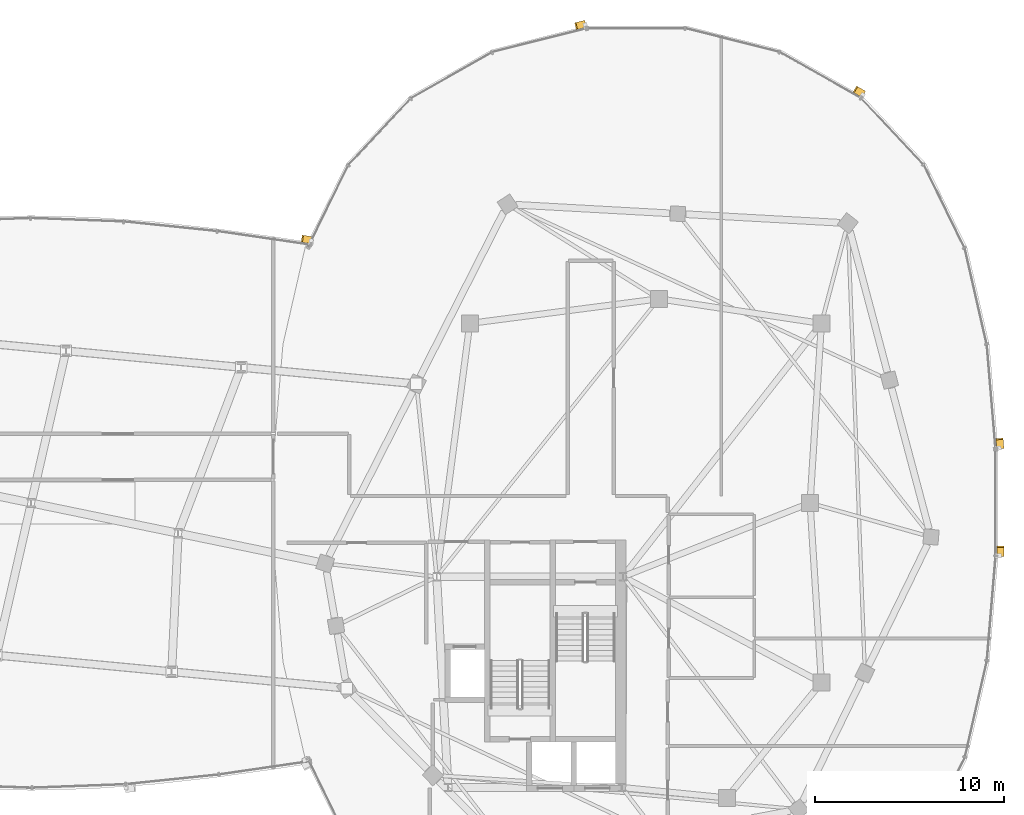
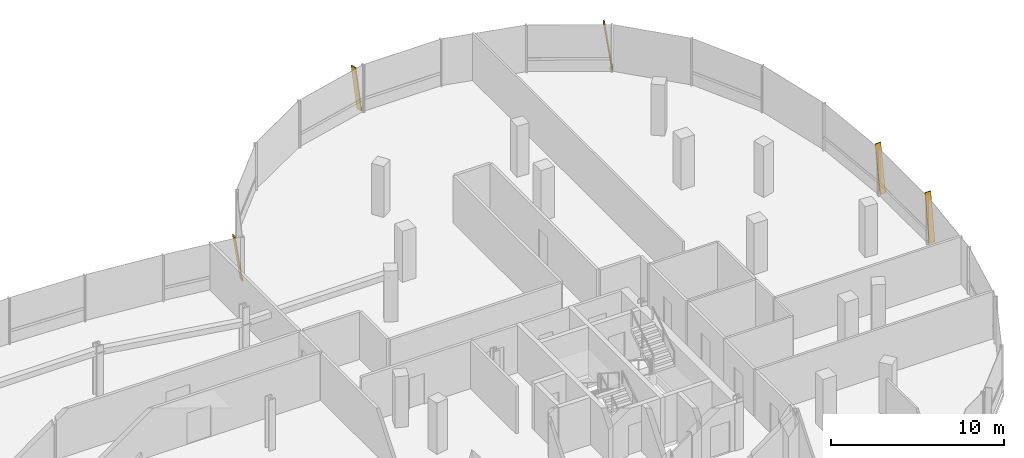
# One storey, part 25 of 25: 5 shading devices.
"""IFC4 building model written with IfcOpenShell, lengths in metres."""

import ifcopenshell
import ifcopenshell.guid

model = None  # the IFC model being written
_history = None  # IfcOwnerHistory: only IFC2X3 demands one
_inside = {}  # id of a spatial element -> (the spatial element, [elements in it])
_under = {}  # id of a project, library or spatial element -> (it, [spatial elements below it])
_declared = {}  # id of a project -> (the project, [libraries it declares])
_typed = {}  # id of a type object -> (the type object, [elements of that type])
_made_of = {}  # id of a material, layer set ... -> (it, [elements and type objects made of it])


def new_model(schema):
    """Start an empty IFC model of exactly this schema.

    Asked for "IFC4X3", IfcOpenShell would pick the latest addendum, in which some entities
    have other attributes; the version numbers below select the first issue.
    IFC2X3 requires an IfcOwnerHistory on every rooted entity: one is made here for all.
    """
    global model, _history
    if schema == "IFC4X3":
        model = ifcopenshell.file(schema_version=(4, 3, 0, 0))
    else:
        model = ifcopenshell.file(schema=schema)
    _inside.clear()
    _under.clear()
    _declared.clear()
    _typed.clear()
    _made_of.clear()
    _history = None
    if model.schema == "IFC2X3":
        org = make("IfcOrganization", Name="unknown")
        user = make(
            "IfcPersonAndOrganization",
            ThePerson=make("IfcPerson", FamilyName="unknown"),
            TheOrganization=org,
        )
        app = make(
            "IfcApplication",
            ApplicationDeveloper=org,
            Version="unknown",
            ApplicationFullName="unknown",
            ApplicationIdentifier="unknown",
        )
        _history = make(
            "IfcOwnerHistory",
            OwningUser=user,
            OwningApplication=app,
            ChangeAction="ADDED",
            CreationDate=0,
        )
    return model


def make(cls, **values):
    """One entity of the class cls with the attributes given. An attribute that is None is left unset."""
    return model.create_entity(
        cls, **{name: value for name, value in values.items() if value is not None}
    )


def rooted(cls, **values):
    """An entity with a GlobalId (a new one), such as an element, a storey or a relation."""
    return make(cls, GlobalId=ifcopenshell.guid.new(), OwnerHistory=_history, **values)


def si_unit(unit_type, name, prefix=None):
    """IfcSIUnit, for example si_unit("LENGTHUNIT", "METRE", prefix="MILLI")."""
    return make("IfcSIUnit", UnitType=unit_type, Prefix=prefix, Name=name)


def assignment(units):
    """IfcUnitAssignment: the units of a project."""
    return None if units is None else make("IfcUnitAssignment", Units=units)


def point(xyz):
    """IfcCartesianPoint."""
    return None if xyz is None else make("IfcCartesianPoint", Coordinates=xyz)


def direction(xyz):
    """IfcDirection."""
    return None if xyz is None else make("IfcDirection", DirectionRatios=xyz)


def frame(location, z_axis=None, x_axis=None):
    """IfcAxis2Placement3D, a coordinate frame: its origin and axes. An axis left out is left unset."""
    return make(
        "IfcAxis2Placement3D",
        Location=point(location),
        Axis=direction(z_axis),
        RefDirection=direction(x_axis),
    )


def frame_2d(location, x_axis=None):
    """IfcAxis2Placement2D, a coordinate frame in the plane: its origin and x axis."""
    return make(
        "IfcAxis2Placement2D", Location=point(location), RefDirection=direction(x_axis)
    )


def origin():
    """The frame at (0, 0, 0) with its axes left unset."""
    return frame((0.0, 0.0, 0.0))


def origin_2d():
    """The frame at (0, 0) in the plane with its x axis left unset."""
    return frame_2d((0.0, 0.0))


def place(relative_to, where):
    """IfcLocalPlacement: puts the frame where relative to a parent placement (None: the world)."""
    return make(
        "IfcLocalPlacement", PlacementRelTo=relative_to, RelativePlacement=where
    )


def context(
    kind, dimensions, precision=None, world=None, true_north=None, identifier=None
):
    """IfcGeometricRepresentationContext, for example the 3D "Model" context."""
    return make(
        "IfcGeometricRepresentationContext",
        ContextIdentifier=identifier,
        ContextType=kind,
        CoordinateSpaceDimension=dimensions,
        Precision=precision,
        WorldCoordinateSystem=world,
        TrueNorth=true_north,
    )


def subcontext(parent, identifier, kind, view, scale=None):
    """IfcGeometricRepresentationSubContext, for example "Body" below "Model"."""
    return make(
        "IfcGeometricRepresentationSubContext",
        ContextIdentifier=identifier,
        ContextType=kind,
        ParentContext=parent,
        TargetScale=scale,
        TargetView=view,
    )


def project(units=None, contexts=None):
    """IfcProject with its units and contexts."""
    return rooted(
        "IfcProject",
        Name="project",
        RepresentationContexts=contexts,
        UnitsInContext=assignment(units),
    )


def spatial(cls, under=None, at=None, **own):
    """A site, building, storey or space (cls), placed at a placement, below another one or the project."""
    s = rooted(cls, ObjectPlacement=at, **own)
    if under is not None:
        _under.setdefault(under.id(), (under, []))[1].append(s)
    return s


def profile(cls, at=None, kind="AREA", **sizes):
    """A parametric profile (cls). Its sizes go by their IFC names, for example OverallWidth=200.0."""
    return make(cls, ProfileType=kind, Position=at, **sizes)


def rectangle(**sizes):
    """IfcRectangleProfileDef."""
    return profile("IfcRectangleProfileDef", **sizes)


def extrude(swept, where, along, depth):
    """IfcExtrudedAreaSolid: the profile swept, set in the frame where, extruded along a direction by depth."""
    return make(
        "IfcExtrudedAreaSolid",
        SweptArea=swept,
        Position=where,
        ExtrudedDirection=direction(along),
        Depth=depth,
    )


def shape(context_of_items, identifier, shape_type, items):
    """IfcShapeRepresentation: the items that make up one representation, for example the "Body"."""
    return make(
        "IfcShapeRepresentation",
        ContextOfItems=context_of_items,
        RepresentationIdentifier=identifier,
        RepresentationType=shape_type,
        Items=items,
    )


def material(Name=None, Category=None):
    """IfcMaterial."""
    return make("IfcMaterial", Name=Name, Category=Category)


def material_profile(
    of_material, cross_section, Name=None, Category=None, Priority=None
):
    """IfcMaterialProfile: a cross section and its material."""
    return make(
        "IfcMaterialProfile",
        Name=Name,
        Material=of_material,
        Profile=cross_section,
        Priority=Priority,
        Category=Category,
    )


def profile_set(profiles, Name=None, composite=None):
    """IfcMaterialProfileSet."""
    return make(
        "IfcMaterialProfileSet",
        Name=Name,
        MaterialProfiles=profiles,
        CompositeProfile=composite,
    )


def made_of(thing, what):
    """Note that an element or type object is made of a material, layer set ...; save() writes the relation."""
    if what is not None:
        _made_of.setdefault(what.id(), (what, []))[1].append(thing)
    return thing


def type_object(cls, material=None, **own):
    """A type object (cls), such as IfcWallType, which elements share."""
    return made_of(rooted(cls, **own), material)


def element(
    cls,
    number,
    at=None,
    inside=None,
    cuts=None,
    type_object=None,
    material=None,
    context=None,
    identifier="Body",
    shape_type=None,
    held_by="IfcProductDefinitionShape",
    body=None,
    shapes=None,
    **own,
):
    """One element of the class cls, such as IfcWall. Its Tag is "e" and its number.

    at: its placement. inside: the storey or other place that contains it. cuts: it is an
    opening in that element (IfcRelVoidsElement). A single representation is given by context,
    identifier, shape_type and body (its items); several are given by shapes. held_by: the class
    of the entity that holds the representations. save() writes the other relations.
    """
    e = rooted(cls, Tag="e%d" % number, ObjectPlacement=at, **own)
    if body is not None:
        shapes = [shape(context, identifier, shape_type, body)]
    if shapes is not None:
        e.Representation = make(held_by, Representations=shapes)
    if inside is not None:
        _inside.setdefault(inside.id(), (inside, []))[1].append(e)
    if cuts is not None:
        rooted(
            "IfcRelVoidsElement", RelatingBuildingElement=cuts, RelatedOpeningElement=e
        )
    if type_object is not None:
        _typed.setdefault(type_object.id(), (type_object, []))[1].append(e)
    return made_of(e, material)


def aggregate(whole, parts):
    """IfcRelAggregates: a whole, such as a stair, and the parts it consists of."""
    return rooted("IfcRelAggregates", RelatingObject=whole, RelatedObjects=parts)


def save(model, path):
    """Write the relations noted so far, then the file.

    IfcRelAggregates (storeys below a building ...), IfcRelContainedInSpatialStructure (elements
    in a storey), IfcRelDefinesByType, IfcRelAssociatesMaterial and IfcRelDeclares: one each for
    every whole, place, type object, material and project.
    """
    for whole, parts in _under.values():
        aggregate(whole, parts)
    for where, things in _inside.values():
        rooted(
            "IfcRelContainedInSpatialStructure",
            RelatedElements=things,
            RelatingStructure=where,
        )
    for kind, things in _typed.values():
        rooted("IfcRelDefinesByType", RelatedObjects=things, RelatingType=kind)
    for what, things in _made_of.values():
        rooted("IfcRelAssociatesMaterial", RelatedObjects=things, RelatingMaterial=what)
    for by, libraries in _declared.values():
        rooted("IfcRelDeclares", RelatingContext=by, RelatedDefinitions=libraries)
    model.write(path)


model = new_model("IFC4")

# Units and contexts
model_context = context("Model", 3, precision=1e-05, world=origin(), true_north=direction((0.0, 1.0)))
body_context = subcontext(model_context, "Body", "Model", "MODEL_VIEW")
ifc_project = project(units=[si_unit("LENGTHUNIT", "METRE"), si_unit("AREAUNIT", "SQUARE_METRE"), si_unit("VOLUMEUNIT", "CUBIC_METRE"), si_unit("PLANEANGLEUNIT", "RADIAN"), si_unit("MASSUNIT", "GRAM", prefix="KILO"), si_unit("THERMODYNAMICTEMPERATUREUNIT", "KELVIN"), si_unit("POWERUNIT", "WATT")], contexts=[model_context])

# Site, building, storey
site_placement = place(None, origin())
site = spatial("IfcSite", under=ifc_project, at=site_placement, CompositionType="ELEMENT")
building_placement = place(site_placement, origin())
building = spatial("IfcBuilding", under=site, at=building_placement, Name="Cundina Bronze Exchange", CompositionType="ELEMENT")
storey_placement = place(building_placement, frame((0.0, 0.0, 239.60009765625)))
storey = spatial("IfcBuildingStorey", under=building, at=storey_placement, Name="L63", CompositionType="ELEMENT", Elevation=239.60009765625)

# Shading devices
ifc_material = material(Name="Anodised Bronze Aluminium 6063-T6", Category="aluminium")
ifc_material_profile = material_profile(ifc_material, rectangle(XDim=0.070068359375, YDim=0.3798828125, at=origin_2d()), Name="FIN70X380", Category="aluminium")
ifc_profile_set = profile_set([ifc_material_profile], Name="Anodised Bronze Aluminium 6063-T6")
shading_device_type = type_object("IfcShadingDeviceType", Name="SHD-FIN-BRZ380", PredefinedType="USERDEFINED", material=ifc_profile_set)
for number, where, z_axis, x_axis, name in (
    (1, (51.26416015625, 2.90625, 0.02001953125), (-0.012007425696, 0.143430164259, 0.989587595774), (0.082555708425, -0.986138004904, 0.143931894628), "L63 Diagonal Bronze Solar Fin 1"),
    (2, (44.0126953125, 21.63720703125, 0.02001953125), (-0.125198584402, 0.071092295587, 0.989581325598), (0.86052566695, -0.48863767404, 0.143974997927), "L63 Diagonal Bronze Solar Fin 5"),
    (3, (29.290771484375, 25.343505859375, 0.02001953125), (-0.139622006633, -0.035143452115, 0.989581039146), (0.959648570899, 0.241547621411, 0.143976966779), "L63 Diagonal Bronze Solar Fin 1"),
    (4, (51.26904296875, -2.79150390625, 0.02001953125), (0.0, 0.143942452949, 0.989586060047), (0.0, -0.989586060047, 0.143942452949), "L63 Diagonal Bronze Solar Fin 5"),
):
    element("IfcShadingDevice", number, at=place(storey_placement, frame(where, z_axis=z_axis, x_axis=x_axis)), inside=storey, type_object=shading_device_type, Name=name, ObjectType="FIN", PredefinedType="USERDEFINED", context=body_context, shape_type="SweptSolid", body=[
        extrude(rectangle(XDim=0.070068359375, YDim=0.3798828125, at=origin_2d()), origin(), (0.0, 0.0, 1.0), 3.33447265625),
    ])
shading_device_placement = place(storey_placement, frame((14.8154296875, 13.90625, 0.02001953125), z_axis=(-0.145051508968, 0.021168873868, 0.989197623595), x_axis=(0.978828704224, -0.142850643371, 0.1465880673)))
element("IfcShadingDevice", 5, at=shading_device_placement, inside=storey, type_object=shading_device_type, Name="L63 Diagonal Bronze Solar Fin 1", ObjectType="FIN", PredefinedType="USERDEFINED", context=body_context, shape_type="SweptSolid", body=[
    extrude(rectangle(XDim=0.070068359375, YDim=0.3798828125, at=origin_2d()), origin(), (0.0, 0.0, 1.0), 3.275390625),
])

save(model, "model.ifc")
